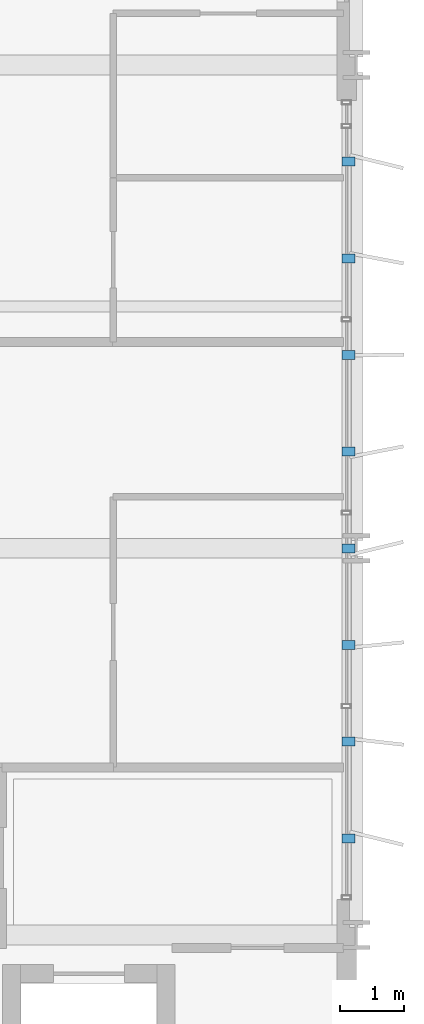
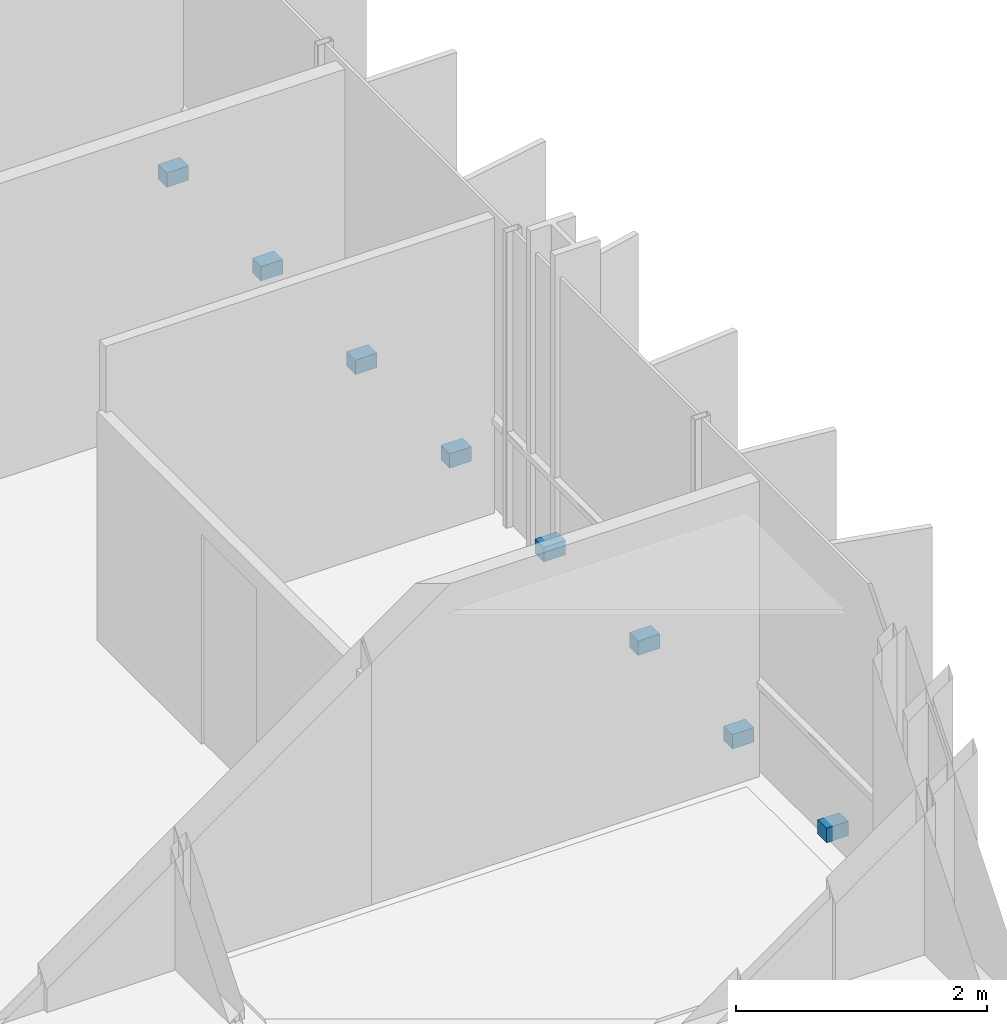
# One storey, part 35 of 39: 8 discrete accessories.
"""IFC4 building model written with IfcOpenShell, lengths in metres."""

from ifc_helpers import new_model, si_unit, direction, frame, origin, origin_2d, place, context, subcontext, project, spatial, rectangle, extrude, material, type_object, element, save


model = new_model("IFC4")

# Units and contexts
model_context = context("Model", 3, precision=1e-05, world=origin(), true_north=direction((0.0, 1.0)))
body_context = subcontext(model_context, "Body", "Model", "MODEL_VIEW")
ifc_project = project(units=[si_unit("LENGTHUNIT", "METRE"), si_unit("AREAUNIT", "SQUARE_METRE"), si_unit("VOLUMEUNIT", "CUBIC_METRE"), si_unit("PLANEANGLEUNIT", "RADIAN"), si_unit("MASSUNIT", "GRAM", prefix="KILO")], contexts=[model_context])

# Site, building, storey
site_placement = place(None, origin())
site = spatial("IfcSite", under=ifc_project, at=site_placement, CompositionType="ELEMENT")
building_placement = place(site_placement, origin())
building = spatial("IfcBuilding", under=site, at=building_placement, Name="Brevholm Reach", CompositionType="ELEMENT")
storey_placement = place(building_placement, frame((0.0, 0.0, 77.60009765625)))
storey = spatial("IfcBuildingStorey", under=building, at=storey_placement, Name="L22", CompositionType="ELEMENT", Elevation=77.60009765625)

# Discrete accessories
ifc_material = material(Name="Duplex Stainless Steel EN 1.4462", Category="steel")
discrete_accessory_type = type_object("IfcDiscreteAccessoryType", Name="ACC-BRK-01", PredefinedType="BRACKET", material=ifc_material)
for number, where, z_axis, x_axis, name in (
    (1, (59.8798828125, 11.5, 0.02978515625), (0.0, 0.0, 1.0), (1.0, 0.0, 0.0), "L22 Solar Screen Support Bracket 1"),
    (2, (59.8798828125, 13.0, 0.02978515625), (0.0, 0.0, 1.0), (1.0, 0.0, 0.0), "L22 Solar Screen Support Bracket 2"),
    (3, (59.8798828125, 14.5, 0.02978515625), (0.0, 0.0, 1.0), (1.0, 0.0, 0.0), "L22 Solar Screen Support Bracket 3"),
    (4, (59.8798828125, 16.0, 0.02978515625), (0.0, 0.0, 1.0), (1.0, 0.0, 0.0), "L22 Solar Screen Support Bracket 4"),
    (5, (59.8798828125, 17.5, 0.02978515625), (0.0, 0.0, 1.0), (1.0, 0.0, 0.0), "L22 Solar Screen Support Bracket 5"),
    (6, (59.8798828125, 19.0, 0.02978515625), (0.0, 0.0, 1.0), (1.0, 0.0, 0.0), "L22 Solar Screen Support Bracket 6"),
    (7, (59.8798828125, 20.5, 0.02978515625), (0.0, 0.0, 1.0), (1.0, 0.0, 0.0), "L22 Solar Screen Support Bracket 7"),
    (8, (59.8798828125, 22.0, 0.02978515625), (0.0, 0.0, 1.0), (1.0, 0.0, 0.0), "L22 Solar Screen Support Bracket 8"),
):
    element("IfcDiscreteAccessory", number, at=place(storey_placement, frame(where, z_axis=z_axis, x_axis=x_axis)), inside=storey, type_object=discrete_accessory_type, Name=name, PredefinedType="BRACKET", context=body_context, shape_type="SweptSolid", body=[
        extrude(rectangle(XDim=0.199951171875, YDim=0.139892578125, at=origin_2d()), origin(), (0.0, 0.0, 1.0), 0.139892578125),
    ])

save(model, "model.ifc")
